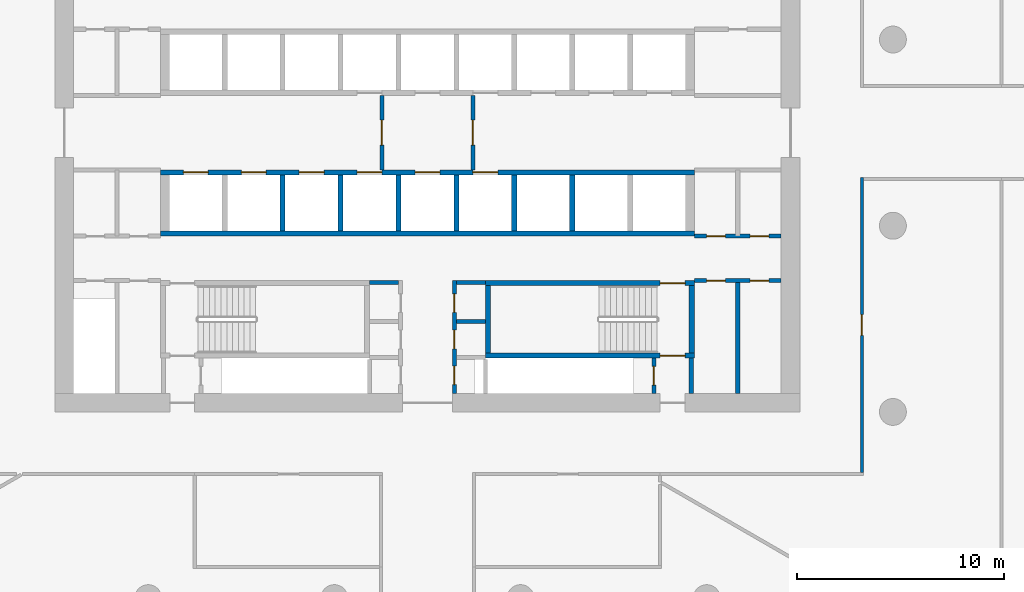
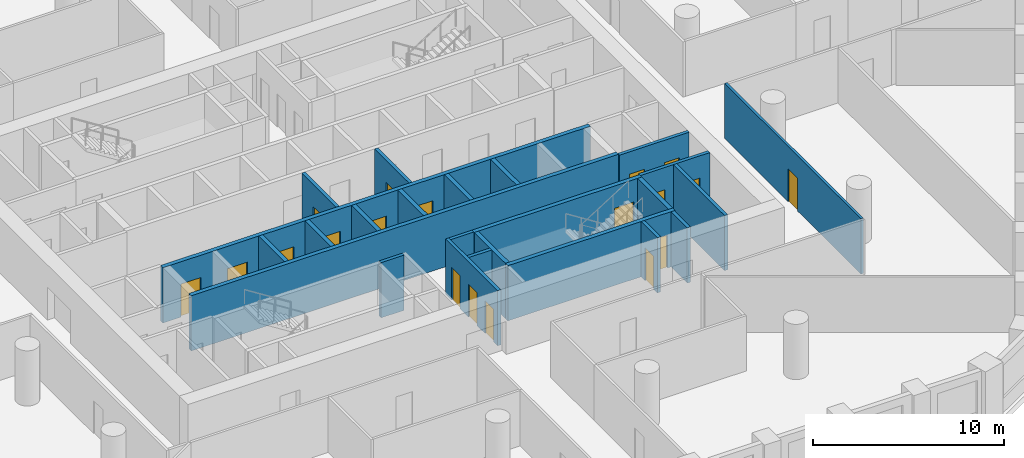
# One storey, part 4 of 10: 24 walls, 19 doors, 19 openings.
"""IFC4 building model written with IfcOpenShell, lengths in metres."""

from ifc_helpers import new_model, si_unit, direction, frame, frame_2d, origin, place, context, subcontext, project, spatial, polyline, rectangle, outline, extrude, material, layer, layer_set, type_object, element, fill, save


model = new_model("IFC4")

# Units and contexts
model_context = context("Model", 3, precision=1e-05, world=origin(), true_north=direction((0.0, 1.0)))
body_context = subcontext(model_context, "Body", "Model", "MODEL_VIEW")
ifc_project = project(units=[si_unit("LENGTHUNIT", "METRE"), si_unit("AREAUNIT", "SQUARE_METRE"), si_unit("VOLUMEUNIT", "CUBIC_METRE"), si_unit("PLANEANGLEUNIT", "RADIAN"), si_unit("MASSUNIT", "GRAM", prefix="KILO")], contexts=[model_context])

# Site, building, storey
site_placement = place(None, origin())
site = spatial("IfcSite", under=ifc_project, at=site_placement, CompositionType="ELEMENT")
building_placement = place(site_placement, origin())
building = spatial("IfcBuilding", under=site, at=building_placement, Name="Dhurran Vertical Campus", CompositionType="ELEMENT")
storey_placement = place(building_placement, frame((0.0, 0.0, 108.60009765625)))
storey = spatial("IfcBuildingStorey", under=building, at=storey_placement, Name="L26", CompositionType="ELEMENT", Elevation=108.60009765625)

# Wall, opening, door
ifc_material_1 = material(Name="Fire-rated masonry blockwork", Category="masonry")
ifc_layer_1 = layer(ifc_material_1, 0.199951171875)
ifc_layer_set_1 = layer_set([ifc_layer_1], Name="Fire-rated masonry blockwork")
wall_type_1 = type_object("IfcWallType", Name="co-FIRE-PARTITION-200", PredefinedType="PARTITIONING", material=ifc_layer_set_1)
wall_1_placement = place(storey_placement, frame((-2.199951171875, -1.800048828125, 0.0), z_axis=(0.0, 0.0, 1.0), x_axis=(0.0, 1.0, 0.0)))
wall_1 = element("IfcWall", 1, at=wall_1_placement, inside=storey, type_object=wall_type_1, Name="Firefighting lobby wall W L26", PredefinedType="PARTITIONING", context=body_context, shape_type="SweptSolid", body=[
    extrude(rectangle(XDim=3.60009765625, YDim=0.199951171875, at=frame_2d((1.800048828125, 0.0))), origin(), (0.0, 0.0, 1.0), 3.52490234375),
])
opening_1_placement = place(wall_1_placement, frame((1.199951171875, 0.0, 0.0)))
opening_1 = element("IfcOpeningElement", 2, at=opening_1_placement, cuts=wall_1, Name="Opening FL1", PredefinedType="OPENING", context=body_context, shape_type="SweptSolid", body=[
    extrude(rectangle(XDim=1.199951171875, YDim=2.10009765625, at=frame_2d((0.60009765625, 1.050048828125))), frame((0.0, 0.10986328125, 0.0), z_axis=(0.0, -1.0, 0.0), x_axis=(1.0, 0.0, 0.0)), (0.0, 0.0, 1.0), 0.219970703125),
])
ifc_material_2 = material(Name="Fire-rated steel door set", Category="steel")
door_type_1 = type_object("IfcDoorType", Name="co-D-FFLOBBY 1200x2100", OperationType="SINGLE_SWING_LEFT", PredefinedType="DOOR", material=ifc_material_2)
door_1_placement = place(opening_1_placement, origin())
door_1 = element("IfcDoor", 3, at=door_1_placement, inside=storey, type_object=door_type_1, Name="Firefighting lobby door W L26", OperationType="SINGLE_SWING_LEFT", OverallHeight=2.10009765625, OverallWidth=1.199951171875, PredefinedType="DOOR", context=body_context, shape_type="SweptSolid", body=[
    extrude(rectangle(XDim=1.199951171875, YDim=2.10009765625, at=frame_2d((0.60009765625, 1.050048828125))), frame((0.0, 0.02490234375, 0.0), z_axis=(0.0, -1.0, 0.0), x_axis=(1.0, 0.0, 0.0)), (0.0, 0.0, 1.0), 0.050048828125),
])
fill(opening_1, door_1)

wall_2_placement = place(storey_placement, frame((2.199951171875, -1.800048828125, 0.0), z_axis=(0.0, 0.0, 1.0), x_axis=(0.0, 1.0, 0.0)))
wall_2 = element("IfcWall", 4, at=wall_2_placement, inside=storey, type_object=wall_type_1, Name="Firefighting lobby wall E L26", PredefinedType="PARTITIONING", context=body_context, shape_type="SweptSolid", body=[
    extrude(rectangle(XDim=3.60009765625, YDim=0.199951171875, at=frame_2d((1.800048828125, 0.0))), origin(), (0.0, 0.0, 1.0), 3.52490234375),
])
opening_2_placement = place(wall_2_placement, frame((1.199951171875, 0.0, 0.0)))
opening_2 = element("IfcOpeningElement", 5, at=opening_2_placement, cuts=wall_2, Name="Opening FL2", PredefinedType="OPENING", context=body_context, shape_type="SweptSolid", body=[
    extrude(rectangle(XDim=1.199951171875, YDim=2.10009765625, at=frame_2d((0.60009765625, 1.050048828125))), frame((0.0, 0.10986328125, 0.0), z_axis=(0.0, -1.0, 0.0), x_axis=(1.0, 0.0, 0.0)), (0.0, 0.0, 1.0), 0.219970703125),
])
door_2_placement = place(opening_2_placement, origin())
door_2 = element("IfcDoor", 6, at=door_2_placement, inside=storey, type_object=door_type_1, Name="Firefighting lobby door E L26", OperationType="SINGLE_SWING_LEFT", OverallHeight=2.10009765625, OverallWidth=1.199951171875, PredefinedType="DOOR", context=body_context, shape_type="SweptSolid", body=[
    extrude(rectangle(XDim=1.199951171875, YDim=2.10009765625, at=frame_2d((0.60009765625, 1.050048828125))), frame((0.0, 0.02490234375, 0.0), z_axis=(0.0, -1.0, 0.0), x_axis=(1.0, 0.0, 0.0)), (0.0, 0.0, 1.0), 0.050048828125),
])
fill(opening_2, door_2)

# Walls
for number, where, z_axis, x_axis, name in (
    (7, (-2.800048828125, -7.25, 0.0), (0.0, 0.0, 1.0), (1.0, 0.0, 0.0), "Core partition sl-SW-S L26"),
    (8, (1.39990234375, -7.25, 0.0), (0.0, 0.0, 1.0), (1.0, 0.0, 0.0), "Core partition sl-SE-S L26"),
    (9, (1.39990234375, -9.135009765625, 0.0), (0.0, 0.0, 1.0), (1.0, 0.0, 0.0), "Core partition sl-SE-cut0 L26"),
):
    element("IfcWall", number, at=place(storey_placement, frame(where, z_axis=z_axis, x_axis=x_axis)), inside=storey, type_object=wall_type_1, Name=name, PredefinedType="PARTITIONING", context=body_context, shape_type="SweptSolid", body=[
        extrude(rectangle(XDim=1.400146484375, YDim=0.199951171875, at=frame_2d((0.7001953125, 0.0))), origin(), (0.0, 0.0, 1.0), 3.52490234375),
    ])

# Wall, openings, doors
wall_3_placement = place(storey_placement, frame((1.300048828125, -12.60009765625, 0.0), z_axis=(0.0, 0.0, 1.0), x_axis=(0.0, 1.0, 0.0)))
wall_3 = element("IfcWall", 10, at=wall_3_placement, inside=storey, type_object=wall_type_1, Name="Core partition vest-SE L26", PredefinedType="PARTITIONING", context=body_context, shape_type="SweptSolid", body=[
    extrude(rectangle(XDim=5.4501953125, YDim=0.199951171875, at=frame_2d((2.72509765625, 0.0))), origin(), (0.0, 0.0, 1.0), 3.52490234375),
])
opening_3_placement = place(wall_3_placement, frame((0.416259765625, 0.0, 0.0)))
opening_3 = element("IfcOpeningElement", 11, at=opening_3_placement, cuts=wall_3, Name="Opening T07-C4", PredefinedType="OPENING", context=body_context, shape_type="SweptSolid", body=[
    extrude(rectangle(XDim=0.89990234375, YDim=2.10009765625, at=frame_2d((0.449951171875, 1.050048828125))), frame((0.0, 0.10986328125, 0.0), z_axis=(0.0, -1.0, 0.0), x_axis=(1.0, 0.0, 0.0)), (0.0, 0.0, 1.0), 0.219970703125),
])
opening_4_placement = place(wall_3_placement, frame((2.148681640625, 0.0, 0.0)))
opening_4 = element("IfcOpeningElement", 12, at=opening_4_placement, cuts=wall_3, Name="Opening T07-C5", PredefinedType="OPENING", context=body_context, shape_type="SweptSolid", body=[
    extrude(rectangle(XDim=0.89990234375, YDim=2.10009765625, at=frame_2d((0.449951171875, 1.050048828125))), frame((0.0, 0.10986328125, 0.0), z_axis=(0.0, -1.0, 0.0), x_axis=(1.0, 0.0, 0.0)), (0.0, 0.0, 1.0), 0.219970703125),
])
opening_5_placement = place(wall_3_placement, frame((3.907470703125, 0.0, 0.0)))
opening_5 = element("IfcOpeningElement", 13, at=opening_5_placement, cuts=wall_3, Name="Opening T07-C6", PredefinedType="OPENING", context=body_context, shape_type="SweptSolid", body=[
    extrude(rectangle(XDim=0.89990234375, YDim=2.10009765625, at=frame_2d((0.449951171875, 1.050048828125))), frame((0.0, 0.10986328125, 0.0), z_axis=(0.0, -1.0, 0.0), x_axis=(1.0, 0.0, 0.0)), (0.0, 0.0, 1.0), 0.219970703125),
])
ifc_material_3 = material(Name="Fire-rated timber door set", Category="wood")
door_type_2 = type_object("IfcDoorType", Name="co-D-ROOM 900x2100", OperationType="SINGLE_SWING_LEFT", PredefinedType="DOOR", material=ifc_material_3)
door_3_placement = place(opening_3_placement, origin())
door_3 = element("IfcDoor", 14, at=door_3_placement, inside=storey, type_object=door_type_2, Name="Electrical riser door L26", OperationType="SINGLE_SWING_LEFT", OverallHeight=2.10009765625, OverallWidth=0.89990234375, PredefinedType="DOOR", context=body_context, shape_type="SweptSolid", body=[
    extrude(rectangle(XDim=0.89990234375, YDim=2.10009765625, at=frame_2d((0.449951171875, 1.050048828125))), frame((0.0, 0.02490234375, 0.0), z_axis=(0.0, -1.0, 0.0), x_axis=(1.0, 0.0, 0.0)), (0.0, 0.0, 1.0), 0.050048828125),
])
fill(opening_3, door_3)
door_4_placement = place(opening_4_placement, origin())
door_4 = element("IfcDoor", 15, at=door_4_placement, inside=storey, type_object=door_type_2, Name="Fire equipment store door L26", OperationType="SINGLE_SWING_LEFT", OverallHeight=2.10009765625, OverallWidth=0.89990234375, PredefinedType="DOOR", context=body_context, shape_type="SweptSolid", body=[
    extrude(rectangle(XDim=0.89990234375, YDim=2.10009765625, at=frame_2d((0.449951171875, 1.050048828125))), frame((0.0, 0.02490234375, 0.0), z_axis=(0.0, -1.0, 0.0), x_axis=(1.0, 0.0, 0.0)), (0.0, 0.0, 1.0), 0.050048828125),
])
fill(opening_4, door_4)
door_5_placement = place(opening_5_placement, origin())
door_5 = element("IfcDoor", 16, at=door_5_placement, inside=storey, type_object=door_type_2, Name="Pantry door L26", OperationType="SINGLE_SWING_LEFT", OverallHeight=2.10009765625, OverallWidth=0.89990234375, PredefinedType="DOOR", context=body_context, shape_type="SweptSolid", body=[
    extrude(rectangle(XDim=0.89990234375, YDim=2.10009765625, at=frame_2d((0.449951171875, 1.050048828125))), frame((0.0, 0.02490234375, 0.0), z_axis=(0.0, -1.0, 0.0), x_axis=(1.0, 0.0, 0.0)), (0.0, 0.0, 1.0), 0.050048828125),
])
fill(opening_5, door_5)

# Wall
wall_4_placement = place(storey_placement, frame((12.75, -12.60009765625, 0.0), z_axis=(0.0, 0.0, 1.0), x_axis=(0.0, 1.0, 0.0)))
element("IfcWall", 17, at=wall_4_placement, inside=storey, type_object=wall_type_1, Name="Core partition pass-ST4-o L26", PredefinedType="PARTITIONING", context=body_context, shape_type="SweptSolid", body=[
    extrude(rectangle(XDim=1.7001953125, YDim=0.199951171875, at=frame_2d((0.85009765625, 0.0))), origin(), (0.0, 0.0, 1.0), 3.52490234375),
])

# Wall, opening, door
wall_5_placement = place(storey_placement, frame((10.949951171875, -12.60009765625, 0.0), z_axis=(0.0, 0.0, 1.0), x_axis=(0.0, 1.0, 0.0)))
wall_5 = element("IfcWall", 18, at=wall_5_placement, inside=storey, type_object=wall_type_1, Name="Core partition pass-ST4-i L26", PredefinedType="PARTITIONING", context=body_context, shape_type="SweptSolid", body=[
    extrude(rectangle(XDim=1.7001953125, YDim=0.199951171875, at=frame_2d((0.85009765625, 0.0))), origin(), (0.0, 0.0, 1.0), 3.52490234375),
])
opening_6_placement = place(wall_5_placement, frame((0.39990234375, 0.0, 0.0)))
opening_6 = element("IfcOpeningElement", 19, at=opening_6_placement, cuts=wall_5, Name="Opening T07-C16", PredefinedType="OPENING", context=body_context, shape_type="SweptSolid", body=[
    extrude(rectangle(XDim=0.89990234375, YDim=2.10009765625, at=frame_2d((0.449951171875, 1.050048828125))), frame((0.0, 0.10986328125, 0.0), z_axis=(0.0, -1.0, 0.0), x_axis=(1.0, 0.0, 0.0)), (0.0, 0.0, 1.0), 0.219970703125),
])
door_6_placement = place(opening_6_placement, origin())
door_6 = element("IfcDoor", 20, at=door_6_placement, inside=storey, type_object=door_type_2, Name="Riser room door L26", OperationType="SINGLE_SWING_LEFT", OverallHeight=2.10009765625, OverallWidth=0.89990234375, PredefinedType="DOOR", context=body_context, shape_type="SweptSolid", body=[
    extrude(rectangle(XDim=0.89990234375, YDim=2.10009765625, at=frame_2d((0.449951171875, 1.050048828125))), frame((0.0, 0.02490234375, 0.0), z_axis=(0.0, -1.0, 0.0), x_axis=(1.0, 0.0, 0.0)), (0.0, 0.0, 1.0), 0.050048828125),
])
fill(opening_6, door_6)

# Wall
wall_6_placement = place(storey_placement, frame((15.0, -12.60009765625, 0.0), z_axis=(0.0, 0.0, 1.0), x_axis=(0.0, 1.0, 0.0)))
element("IfcWall", 21, at=wall_6_placement, inside=storey, type_object=wall_type_1, Name="Core partition en-SE-cut0 L26", PredefinedType="PARTITIONING", context=body_context, shape_type="SweptSolid", body=[
    extrude(rectangle(XDim=5.4501953125, YDim=0.199951171875, at=frame_2d((2.72509765625, 0.0))), origin(), (0.0, 0.0, 1.0), 3.52490234375),
])

# Wall, openings, doors
wall_7_placement = place(storey_placement, frame((12.89990234375, -7.14990234375, 0.0), z_axis=(0.0, 0.0, 1.0), x_axis=(1.0, 0.0, 0.0)))
wall_7 = element("IfcWall", 22, at=wall_7_placement, inside=storey, type_object=wall_type_1, Name="Core partition en-SE-w L26", PredefinedType="PARTITIONING", context=body_context, shape_type="SweptSolid", body=[
    extrude(rectangle(XDim=4.2001953125, YDim=0.199951171875, at=frame_2d((2.10009765625, 0.0))), origin(), (0.0, 0.0, 1.0), 3.52490234375),
])
opening_7_placement = place(wall_7_placement, frame((0.60009765625, 0.0, 0.0)))
opening_7 = element("IfcOpeningElement", 23, at=opening_7_placement, cuts=wall_7, Name="Opening T07-C28", PredefinedType="OPENING", context=body_context, shape_type="SweptSolid", body=[
    extrude(rectangle(XDim=0.89990234375, YDim=2.10009765625, at=frame_2d((0.449951171875, 1.050048828125))), frame((0.0, 0.10986328125, 0.0), z_axis=(0.0, -1.0, 0.0), x_axis=(1.0, 0.0, 0.0)), (0.0, 0.0, 1.0), 0.219970703125),
])
opening_8_placement = place(wall_7_placement, frame((2.699951171875, 0.0, 0.0)))
opening_8 = element("IfcOpeningElement", 24, at=opening_8_placement, cuts=wall_7, Name="Opening T07-C29", PredefinedType="OPENING", context=body_context, shape_type="SweptSolid", body=[
    extrude(rectangle(XDim=0.89990234375, YDim=2.10009765625, at=frame_2d((0.449951171875, 1.050048828125))), frame((0.0, 0.10986328125, 0.0), z_axis=(0.0, -1.0, 0.0), x_axis=(1.0, 0.0, 0.0)), (0.0, 0.0, 1.0), 0.219970703125),
])
door_7_placement = place(opening_7_placement, origin())
door_7 = element("IfcDoor", 25, at=door_7_placement, inside=storey, type_object=door_type_2, Name="Communications room door L26", OperationType="SINGLE_SWING_LEFT", OverallHeight=2.10009765625, OverallWidth=0.89990234375, PredefinedType="DOOR", context=body_context, shape_type="SweptSolid", body=[
    extrude(rectangle(XDim=0.89990234375, YDim=2.10009765625, at=frame_2d((0.449951171875, 1.050048828125))), frame((0.0, 0.02490234375, 0.0), z_axis=(0.0, -1.0, 0.0), x_axis=(1.0, 0.0, 0.0)), (0.0, 0.0, 1.0), 0.050048828125),
])
fill(opening_7, door_7)
door_8_placement = place(opening_8_placement, origin())
door_8 = element("IfcDoor", 26, at=door_8_placement, inside=storey, type_object=door_type_2, Name="Waste room door L26", OperationType="SINGLE_SWING_LEFT", OverallHeight=2.10009765625, OverallWidth=0.89990234375, PredefinedType="DOOR", context=body_context, shape_type="SweptSolid", body=[
    extrude(rectangle(XDim=0.89990234375, YDim=2.10009765625, at=frame_2d((0.449951171875, 1.050048828125))), frame((0.0, 0.02490234375, 0.0), z_axis=(0.0, -1.0, 0.0), x_axis=(1.0, 0.0, 0.0)), (0.0, 0.0, 1.0), 0.050048828125),
])
fill(opening_8, door_8)

wall_8_placement = place(storey_placement, frame((12.89990234375, -5.0, 0.0), z_axis=(0.0, 0.0, 1.0), x_axis=(1.0, 0.0, 0.0)))
wall_8 = element("IfcWall", 27, at=wall_8_placement, inside=storey, type_object=wall_type_1, Name="Core partition es-SE-w L26", PredefinedType="PARTITIONING", context=body_context, shape_type="SweptSolid", body=[
    extrude(rectangle(XDim=4.2001953125, YDim=0.199951171875, at=frame_2d((2.10009765625, 0.0))), origin(), (0.0, 0.0, 1.0), 3.52490234375),
])
opening_9_placement = place(wall_8_placement, frame((0.60009765625, 0.0, 0.0)))
opening_9 = element("IfcOpeningElement", 28, at=opening_9_placement, cuts=wall_8, Name="Opening T07-C30", PredefinedType="OPENING", context=body_context, shape_type="SweptSolid", body=[
    extrude(rectangle(XDim=0.89990234375, YDim=2.10009765625, at=frame_2d((0.449951171875, 1.050048828125))), frame((0.0, 0.10986328125, 0.0), z_axis=(0.0, -1.0, 0.0), x_axis=(1.0, 0.0, 0.0)), (0.0, 0.0, 1.0), 0.219970703125),
])
opening_10_placement = place(wall_8_placement, frame((2.699951171875, 0.0, 0.0)))
opening_10 = element("IfcOpeningElement", 29, at=opening_10_placement, cuts=wall_8, Name="Opening T07-C31", PredefinedType="OPENING", context=body_context, shape_type="SweptSolid", body=[
    extrude(rectangle(XDim=0.89990234375, YDim=2.10009765625, at=frame_2d((0.449951171875, 1.050048828125))), frame((0.0, 0.10986328125, 0.0), z_axis=(0.0, -1.0, 0.0), x_axis=(1.0, 0.0, 0.0)), (0.0, 0.0, 1.0), 0.219970703125),
])
door_9_placement = place(opening_9_placement, origin())
door_9 = element("IfcDoor", 30, at=door_9_placement, inside=storey, type_object=door_type_2, Name="Waste room door L26", OperationType="SINGLE_SWING_LEFT", OverallHeight=2.10009765625, OverallWidth=0.89990234375, PredefinedType="DOOR", context=body_context, shape_type="SweptSolid", body=[
    extrude(rectangle(XDim=0.89990234375, YDim=2.10009765625, at=frame_2d((0.449951171875, 1.050048828125))), frame((0.0, 0.02490234375, 0.0), z_axis=(0.0, -1.0, 0.0), x_axis=(1.0, 0.0, 0.0)), (0.0, 0.0, 1.0), 0.050048828125),
])
fill(opening_9, door_9)
door_10_placement = place(opening_10_placement, origin())
door_10 = element("IfcDoor", 31, at=door_10_placement, inside=storey, type_object=door_type_2, Name="Store door L26", OperationType="SINGLE_SWING_LEFT", OverallHeight=2.10009765625, OverallWidth=0.89990234375, PredefinedType="DOOR", context=body_context, shape_type="SweptSolid", body=[
    extrude(rectangle(XDim=0.89990234375, YDim=2.10009765625, at=frame_2d((0.449951171875, 1.050048828125))), frame((0.0, 0.02490234375, 0.0), z_axis=(0.0, -1.0, 0.0), x_axis=(1.0, 0.0, 0.0)), (0.0, 0.0, 1.0), 0.050048828125),
])
fill(opening_10, door_10)

ifc_material_4 = material(Name="Concrete C50/60", Category="concrete")
ifc_layer_2 = layer(ifc_material_4, 0.25)
ifc_layer_set_2 = layer_set([ifc_layer_2], Name="Concrete C50/60")
wall_type_2 = type_object("IfcWallType", Name="co-SHAFT-FRONT-250", PredefinedType="SHEAR", material=ifc_layer_set_2)
wall_9_placement = place(storey_placement, frame((-12.89990234375, -1.925048828125, 0.0), z_axis=(0.0, 0.0, 1.0), x_axis=(1.0, 0.0, 0.0)))
wall_9 = element("IfcWall", 32, at=wall_9_placement, inside=storey, type_object=wall_type_2, Name="Lift landing wall S L26", PredefinedType="SHEAR", context=body_context, shape_type="SweptSolid", body=[
    extrude(rectangle(XDim=25.7998046875, YDim=0.25, at=frame_2d((12.89990234375, 0.0))), origin(), (0.0, 0.0, 1.0), 3.52490234375),
])
opening_11_placement = place(wall_9_placement, frame((1.10009765625, 0.0, 0.0)))
opening_11 = element("IfcOpeningElement", 33, at=opening_11_placement, cuts=wall_9, Name="Opening LD", PredefinedType="OPENING", context=body_context, shape_type="SweptSolid", body=[
    extrude(rectangle(XDim=1.199951171875, YDim=2.10009765625, at=frame_2d((0.60009765625, 1.050048828125))), frame((0.0, 0.135009765625, 0.0), z_axis=(0.0, -1.0, 0.0), x_axis=(1.0, 0.0, 0.0)), (0.0, 0.0, 1.0), 0.27001953125),
])
opening_12_placement = place(wall_9_placement, frame((3.89990234375, 0.0, 0.0)))
opening_12 = element("IfcOpeningElement", 34, at=opening_12_placement, cuts=wall_9, Name="Opening LD", PredefinedType="OPENING", context=body_context, shape_type="SweptSolid", body=[
    extrude(rectangle(XDim=1.199951171875, YDim=2.10009765625, at=frame_2d((0.60009765625, 1.050048828125))), frame((0.0, 0.135009765625, 0.0), z_axis=(0.0, -1.0, 0.0), x_axis=(1.0, 0.0, 0.0)), (0.0, 0.0, 1.0), 0.27001953125),
])
opening_13_placement = place(wall_9_placement, frame((6.699951171875, 0.0, 0.0)))
opening_13 = element("IfcOpeningElement", 35, at=opening_13_placement, cuts=wall_9, Name="Opening LD", PredefinedType="OPENING", context=body_context, shape_type="SweptSolid", body=[
    extrude(rectangle(XDim=1.199951171875, YDim=2.10009765625, at=frame_2d((0.60009765625, 1.050048828125))), frame((0.0, 0.135009765625, 0.0), z_axis=(0.0, -1.0, 0.0), x_axis=(1.0, 0.0, 0.0)), (0.0, 0.0, 1.0), 0.27001953125),
])
opening_14_placement = place(wall_9_placement, frame((9.5, 0.0, 0.0)))
opening_14 = element("IfcOpeningElement", 36, at=opening_14_placement, cuts=wall_9, Name="Opening LD", PredefinedType="OPENING", context=body_context, shape_type="SweptSolid", body=[
    extrude(rectangle(XDim=1.199951171875, YDim=2.10009765625, at=frame_2d((0.60009765625, 1.050048828125))), frame((0.0, 0.135009765625, 0.0), z_axis=(0.0, -1.0, 0.0), x_axis=(1.0, 0.0, 0.0)), (0.0, 0.0, 1.0), 0.27001953125),
])
opening_15_placement = place(wall_9_placement, frame((12.300048828125, 0.0, 0.0)))
opening_15 = element("IfcOpeningElement", 37, at=opening_15_placement, cuts=wall_9, Name="Opening LD", PredefinedType="OPENING", context=body_context, shape_type="SweptSolid", body=[
    extrude(rectangle(XDim=1.199951171875, YDim=2.10009765625, at=frame_2d((0.60009765625, 1.050048828125))), frame((0.0, 0.135009765625, 0.0), z_axis=(0.0, -1.0, 0.0), x_axis=(1.0, 0.0, 0.0)), (0.0, 0.0, 1.0), 0.27001953125),
])
opening_16_placement = place(wall_9_placement, frame((15.10009765625, 0.0, 0.0)))
opening_16 = element("IfcOpeningElement", 38, at=opening_16_placement, cuts=wall_9, Name="Opening LD", PredefinedType="OPENING", context=body_context, shape_type="SweptSolid", body=[
    extrude(rectangle(XDim=1.199951171875, YDim=2.10009765625, at=frame_2d((0.60009765625, 1.050048828125))), frame((0.0, 0.135009765625, 0.0), z_axis=(0.0, -1.0, 0.0), x_axis=(1.0, 0.0, 0.0)), (0.0, 0.0, 1.0), 0.27001953125),
])
ifc_material_5 = material(Name="Stainless steel landing door", Category="steel")
door_type_3 = type_object("IfcDoorType", Name="co-D-LANDING 1200x2100", OperationType="DOUBLE_DOOR_SLIDING", PredefinedType="DOOR", material=ifc_material_5)
door_11_placement = place(opening_11_placement, origin())
door_11 = element("IfcDoor", 39, at=door_11_placement, inside=storey, type_object=door_type_3, Name="Landing door LR5 L26", OperationType="DOUBLE_DOOR_SLIDING", OverallHeight=2.10009765625, OverallWidth=1.199951171875, PredefinedType="DOOR", context=body_context, shape_type="SweptSolid", body=[
    extrude(rectangle(XDim=1.199951171875, YDim=2.10009765625, at=frame_2d((0.60009765625, 1.050048828125))), frame((0.0, 0.02490234375, 0.0), z_axis=(0.0, -1.0, 0.0), x_axis=(1.0, 0.0, 0.0)), (0.0, 0.0, 1.0), 0.050048828125),
])
fill(opening_11, door_11)
door_12_placement = place(opening_12_placement, origin())
door_12 = element("IfcDoor", 40, at=door_12_placement, inside=storey, type_object=door_type_3, Name="Landing door LR6 L26", OperationType="DOUBLE_DOOR_SLIDING", OverallHeight=2.10009765625, OverallWidth=1.199951171875, PredefinedType="DOOR", context=body_context, shape_type="SweptSolid", body=[
    extrude(rectangle(XDim=1.199951171875, YDim=2.10009765625, at=frame_2d((0.60009765625, 1.050048828125))), frame((0.0, 0.02490234375, 0.0), z_axis=(0.0, -1.0, 0.0), x_axis=(1.0, 0.0, 0.0)), (0.0, 0.0, 1.0), 0.050048828125),
])
fill(opening_12, door_12)
door_13_placement = place(opening_13_placement, origin())
door_13 = element("IfcDoor", 41, at=door_13_placement, inside=storey, type_object=door_type_3, Name="Landing door LR7 L26", OperationType="DOUBLE_DOOR_SLIDING", OverallHeight=2.10009765625, OverallWidth=1.199951171875, PredefinedType="DOOR", context=body_context, shape_type="SweptSolid", body=[
    extrude(rectangle(XDim=1.199951171875, YDim=2.10009765625, at=frame_2d((0.60009765625, 1.050048828125))), frame((0.0, 0.02490234375, 0.0), z_axis=(0.0, -1.0, 0.0), x_axis=(1.0, 0.0, 0.0)), (0.0, 0.0, 1.0), 0.050048828125),
])
fill(opening_13, door_13)
door_14_placement = place(opening_14_placement, origin())
door_14 = element("IfcDoor", 42, at=door_14_placement, inside=storey, type_object=door_type_3, Name="Landing door LR8 L26", OperationType="DOUBLE_DOOR_SLIDING", OverallHeight=2.10009765625, OverallWidth=1.199951171875, PredefinedType="DOOR", context=body_context, shape_type="SweptSolid", body=[
    extrude(rectangle(XDim=1.199951171875, YDim=2.10009765625, at=frame_2d((0.60009765625, 1.050048828125))), frame((0.0, 0.02490234375, 0.0), z_axis=(0.0, -1.0, 0.0), x_axis=(1.0, 0.0, 0.0)), (0.0, 0.0, 1.0), 0.050048828125),
])
fill(opening_14, door_14)
door_15_placement = place(opening_15_placement, origin())
door_15 = element("IfcDoor", 43, at=door_15_placement, inside=storey, type_object=door_type_3, Name="Landing door FF2 L26", OperationType="DOUBLE_DOOR_SLIDING", OverallHeight=2.10009765625, OverallWidth=1.199951171875, PredefinedType="DOOR", context=body_context, shape_type="SweptSolid", body=[
    extrude(rectangle(XDim=1.199951171875, YDim=2.10009765625, at=frame_2d((0.60009765625, 1.050048828125))), frame((0.0, 0.02490234375, 0.0), z_axis=(0.0, -1.0, 0.0), x_axis=(1.0, 0.0, 0.0)), (0.0, 0.0, 1.0), 0.050048828125),
])
fill(opening_15, door_15)
door_16_placement = place(opening_16_placement, origin())
door_16 = element("IfcDoor", 44, at=door_16_placement, inside=storey, type_object=door_type_3, Name="Landing door SV1 L26", OperationType="DOUBLE_DOOR_SLIDING", OverallHeight=2.10009765625, OverallWidth=1.199951171875, PredefinedType="DOOR", context=body_context, shape_type="SweptSolid", body=[
    extrude(rectangle(XDim=1.199951171875, YDim=2.10009765625, at=frame_2d((0.60009765625, 1.050048828125))), frame((0.0, 0.02490234375, 0.0), z_axis=(0.0, -1.0, 0.0), x_axis=(1.0, 0.0, 0.0)), (0.0, 0.0, 1.0), 0.050048828125),
])
fill(opening_16, door_16)

# Walls
ifc_material_6 = material(Name="Concrete C50/60", Category="concrete")
ifc_layer_3 = layer(ifc_material_6, 0.25)
ifc_layer_set_3 = layer_set([ifc_layer_3], Name="Concrete C50/60")
wall_type_3 = type_object("IfcWallType", Name="co-SHAFT-MASS-250", PredefinedType="SHEAR", material=ifc_layer_set_3)
wall_10_placement = place(storey_placement, origin())
element("IfcWall", 45, at=wall_10_placement, inside=storey, type_object=wall_type_3, Name="Lift shaft wall S L26 1", PredefinedType="SHEAR", context=body_context, shape_type="SweptSolid", body=[
    extrude(outline(polyline([(-12.89990234375, -5.0), (12.89990234375, -5.0), (12.89990234375, -4.75), (-12.89990234375, -4.75), (-12.89990234375, -5.0)])), origin(), (0.0, 0.0, 1.0), 3.52490234375),
])
wall_11_placement = place(storey_placement, origin())
element("IfcWall", 46, at=wall_11_placement, inside=storey, type_object=wall_type_3, Name="Lift shaft wall S L26 4", PredefinedType="SHEAR", context=body_context, shape_type="SweptSolid", body=[
    extrude(outline(polyline([(-7.125, -4.75), (-6.875, -4.75), (-6.875, -2.050048828125), (-7.125, -2.050048828125), (-7.125, -4.75)])), origin(), (0.0, 0.0, 1.0), 3.52490234375),
])
wall_12_placement = place(storey_placement, origin())
element("IfcWall", 47, at=wall_12_placement, inside=storey, type_object=wall_type_3, Name="Lift shaft wall S L26 5", PredefinedType="SHEAR", context=body_context, shape_type="SweptSolid", body=[
    extrude(outline(polyline([(-4.324951171875, -4.75), (-4.074951171875, -4.75), (-4.074951171875, -2.050048828125), (-4.324951171875, -2.050048828125), (-4.324951171875, -4.75)])), origin(), (0.0, 0.0, 1.0), 3.52490234375),
])
wall_13_placement = place(storey_placement, origin())
element("IfcWall", 48, at=wall_13_placement, inside=storey, type_object=wall_type_3, Name="Lift shaft wall S L26 6", PredefinedType="SHEAR", context=body_context, shape_type="SweptSolid", body=[
    extrude(outline(polyline([(-1.52490234375, -4.75), (-1.27490234375, -4.75), (-1.27490234375, -2.050048828125), (-1.52490234375, -2.050048828125), (-1.52490234375, -4.75)])), origin(), (0.0, 0.0, 1.0), 3.52490234375),
])
wall_14_placement = place(storey_placement, origin())
element("IfcWall", 49, at=wall_14_placement, inside=storey, type_object=wall_type_3, Name="Lift shaft wall S L26 7", PredefinedType="SHEAR", context=body_context, shape_type="SweptSolid", body=[
    extrude(outline(polyline([(1.27490234375, -4.75), (1.52490234375, -4.75), (1.52490234375, -2.050048828125), (1.27490234375, -2.050048828125), (1.27490234375, -4.75)])), origin(), (0.0, 0.0, 1.0), 3.52490234375),
])
wall_15_placement = place(storey_placement, origin())
element("IfcWall", 50, at=wall_15_placement, inside=storey, type_object=wall_type_3, Name="Lift shaft wall S L26 8", PredefinedType="SHEAR", context=body_context, shape_type="SweptSolid", body=[
    extrude(outline(polyline([(4.074951171875, -4.75), (4.324951171875, -4.75), (4.324951171875, -2.050048828125), (4.074951171875, -2.050048828125), (4.074951171875, -4.75)])), origin(), (0.0, 0.0, 1.0), 3.52490234375),
])
wall_16_placement = place(storey_placement, origin())
element("IfcWall", 51, at=wall_16_placement, inside=storey, type_object=wall_type_3, Name="Lift shaft wall S L26 9", PredefinedType="SHEAR", context=body_context, shape_type="SweptSolid", body=[
    extrude(outline(polyline([(6.875, -4.75), (7.125, -4.75), (7.125, -2.050048828125), (6.875, -2.050048828125), (6.875, -4.75)])), origin(), (0.0, 0.0, 1.0), 3.52490234375),
])

# Wall, opening, door
ifc_material_7 = material(Name="Concrete C40/50", Category="concrete")
ifc_layer_4 = layer(ifc_material_7, 0.25)
ifc_layer_set_4 = layer_set([ifc_layer_4], Name="Concrete C40/50")
wall_type_4 = type_object("IfcWallType", Name="co-STAIR-WALL-250", PredefinedType="SHEAR", material=ifc_layer_set_4)
wall_17_placement = place(storey_placement, frame((2.800048828125, -10.77490234375, 0.0), z_axis=(0.0, 0.0, 1.0), x_axis=(1.0, 0.0, 0.0)))
wall_17 = element("IfcWall", 52, at=wall_17_placement, inside=storey, type_object=wall_type_4, Name="Stair ST4 enclosure wall L26", PredefinedType="SHEAR", context=body_context, shape_type="SweptSolid", body=[
    extrude(rectangle(XDim=10.099853515625, YDim=0.25, at=frame_2d((5.0498046875, 0.0))), origin(), (0.0, 0.0, 1.0), 3.52490234375),
])
opening_17_placement = place(wall_17_placement, frame((8.449951171875, 0.0, 0.0)))
opening_17 = element("IfcOpeningElement", 53, at=opening_17_placement, cuts=wall_17, Name="Opening XS4", PredefinedType="OPENING", context=body_context, shape_type="SweptSolid", body=[
    extrude(rectangle(XDim=1.199951171875, YDim=2.10009765625, at=frame_2d((0.60009765625, 1.050048828125))), frame((0.0, 0.135009765625, 0.0), z_axis=(0.0, -1.0, 0.0), x_axis=(1.0, 0.0, 0.0)), (0.0, 0.0, 1.0), 0.27001953125),
])
ifc_material_8 = material(Name="Fire-rated steel door set", Category="steel")
door_type_4 = type_object("IfcDoorType", Name="co-D-STAIR-EXIT 1200x2100", OperationType="SINGLE_SWING_RIGHT", PredefinedType="DOOR", material=ifc_material_8)
door_17_placement = place(opening_17_placement, origin())
door_17 = element("IfcDoor", 54, at=door_17_placement, inside=storey, type_object=door_type_4, Name="Stair ST4 discharge door L26", OperationType="SINGLE_SWING_RIGHT", OverallHeight=2.10009765625, OverallWidth=1.199951171875, PredefinedType="DOOR", context=body_context, shape_type="SweptSolid", body=[
    extrude(rectangle(XDim=1.199951171875, YDim=2.10009765625, at=frame_2d((0.60009765625, 1.050048828125))), frame((0.0, 0.02490234375, 0.0), z_axis=(0.0, -1.0, 0.0), x_axis=(1.0, 0.0, 0.0)), (0.0, 0.0, 1.0), 0.050048828125),
])
fill(opening_17, door_17)

wall_18_placement = place(storey_placement, frame((2.800048828125, -7.27490234375, 0.0), z_axis=(0.0, 0.0, 1.0), x_axis=(1.0, 0.0, 0.0)))
wall_18 = element("IfcWall", 55, at=wall_18_placement, inside=storey, type_object=wall_type_4, Name="Stair ST4 enclosure wall L26", PredefinedType="SHEAR", context=body_context, shape_type="SweptSolid", body=[
    extrude(rectangle(XDim=10.099853515625, YDim=0.25, at=frame_2d((5.0498046875, 0.0))), origin(), (0.0, 0.0, 1.0), 3.52490234375),
])
opening_18_placement = place(wall_18_placement, frame((8.449951171875, 0.0, 0.0)))
opening_18 = element("IfcOpeningElement", 56, at=opening_18_placement, cuts=wall_18, Name="Opening SD4", PredefinedType="OPENING", context=body_context, shape_type="SweptSolid", body=[
    extrude(rectangle(XDim=1.199951171875, YDim=2.10009765625, at=frame_2d((0.60009765625, 1.050048828125))), frame((0.0, 0.135009765625, 0.0), z_axis=(0.0, -1.0, 0.0), x_axis=(1.0, 0.0, 0.0)), (0.0, 0.0, 1.0), 0.27001953125),
])
ifc_material_9 = material(Name="Fire-rated steel door set", Category="steel")
door_type_5 = type_object("IfcDoorType", Name="co-D-STAIR 1200x2100", OperationType="SINGLE_SWING_LEFT", PredefinedType="DOOR", material=ifc_material_9)
door_18_placement = place(opening_18_placement, origin())
door_18 = element("IfcDoor", 57, at=door_18_placement, inside=storey, type_object=door_type_5, Name="Stair ST4 door L26", OperationType="SINGLE_SWING_LEFT", OverallHeight=2.10009765625, OverallWidth=1.199951171875, PredefinedType="DOOR", context=body_context, shape_type="SweptSolid", body=[
    extrude(rectangle(XDim=1.199951171875, YDim=2.10009765625, at=frame_2d((0.60009765625, 1.050048828125))), frame((0.0, 0.02490234375, 0.0), z_axis=(0.0, -1.0, 0.0), x_axis=(1.0, 0.0, 0.0)), (0.0, 0.0, 1.0), 0.050048828125),
])
fill(opening_18, door_18)

# Walls
for number, where, z_axis, x_axis, name in (
    (58, (2.925048828125, -10.64990234375, 0.0), (0.0, 0.0, 1.0), (0.0, 1.0, 0.0), "Stair ST4 enclosure wall L26"),
    (59, (12.77490234375, -10.64990234375, 0.0), (0.0, 0.0, 1.0), (0.0, 1.0, 0.0), "Stair ST4 enclosure wall L26"),
):
    element("IfcWall", number, at=place(storey_placement, frame(where, z_axis=z_axis, x_axis=x_axis)), inside=storey, type_object=wall_type_4, Name=name, PredefinedType="SHEAR", context=body_context, shape_type="SweptSolid", body=[
        extrude(rectangle(XDim=3.25, YDim=0.25, at=frame_2d((1.625, 0.0))), origin(), (0.0, 0.0, 1.0), 3.52490234375),
    ])

# Wall, opening, door
ifc_material_10 = material(Name="Gypsum board corridor wall on steel studs", Category="steel")
ifc_layer_5 = layer(ifc_material_10, 0.14990234375)
ifc_layer_set_5 = layer_set([ifc_layer_5], Name="Gypsum board corridor wall on steel studs")
wall_type_5 = type_object("IfcWallType", Name="fl-CW-150 corridor wall", PredefinedType="PARTITIONING", material=ifc_layer_set_5)
wall_19_placement = place(storey_placement, frame((21.0, -16.425048828125, 0.0), z_axis=(0.0, 0.0, 1.0), x_axis=(0.0, 1.0, 0.0)))
wall_19 = element("IfcWall", 60, at=wall_19_placement, inside=storey, type_object=wall_type_5, Name="Partition 26-52", PredefinedType="PARTITIONING", context=body_context, shape_type="SweptSolid", body=[
    extrude(rectangle(XDim=14.25, YDim=0.14990234375, at=frame_2d((7.125, 0.0))), origin(), (0.0, 0.0, 1.0), 3.52490234375),
])
opening_19_placement = place(wall_19_placement, frame((6.625, 0.0, 0.0)))
opening_19 = element("IfcOpeningElement", 61, at=opening_19_placement, cuts=wall_19, Name="Opening T07.17", PredefinedType="OPENING", context=body_context, shape_type="SweptSolid", body=[
    extrude(rectangle(XDim=1.0, YDim=2.10009765625, at=frame_2d((0.5, 1.050048828125))), frame((0.0, 0.0849609375, 0.0), z_axis=(0.0, -1.0, 0.0), x_axis=(1.0, 0.0, 0.0)), (0.0, 0.0, 1.0), 0.169921875),
])
ifc_material_11 = material(Name="Solid-core timber door set, fire-rated", Category="wood")
door_type_6 = type_object("IfcDoorType", Name="fl-D-1000x2100", OperationType="SINGLE_SWING_LEFT", PredefinedType="DOOR", material=ifc_material_11)
door_19_placement = place(opening_19_placement, origin())
door_19 = element("IfcDoor", 62, at=door_19_placement, inside=storey, type_object=door_type_6, Name="Door 26.17", OperationType="SINGLE_SWING_LEFT", OverallHeight=2.10009765625, OverallWidth=1.0, PredefinedType="DOOR", context=body_context, shape_type="SweptSolid", body=[
    extrude(rectangle(XDim=1.0, YDim=2.10009765625, at=frame_2d((0.5, 1.050048828125))), frame((0.0, 0.02490234375, 0.0), z_axis=(0.0, -1.0, 0.0), x_axis=(1.0, 0.0, 0.0)), (0.0, 0.0, 1.0), 0.050048828125),
])
fill(opening_19, door_19)

save(model, "model.ifc")
